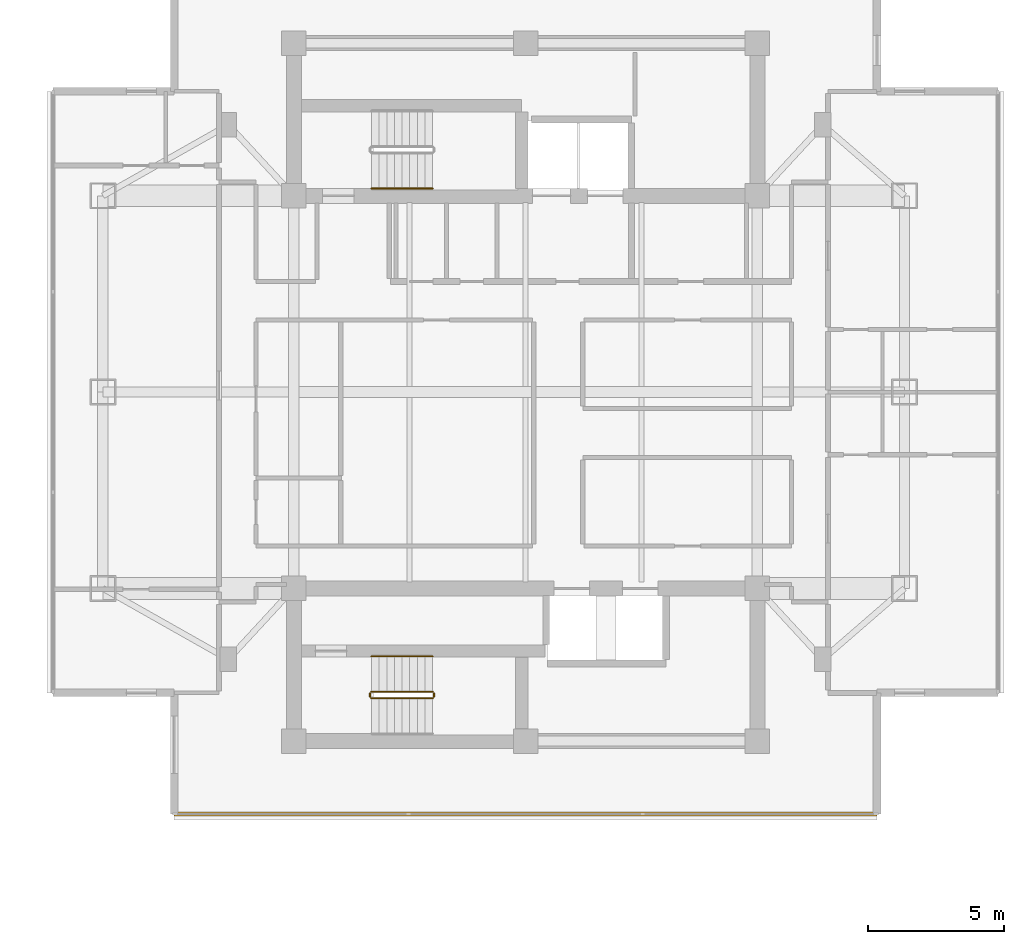
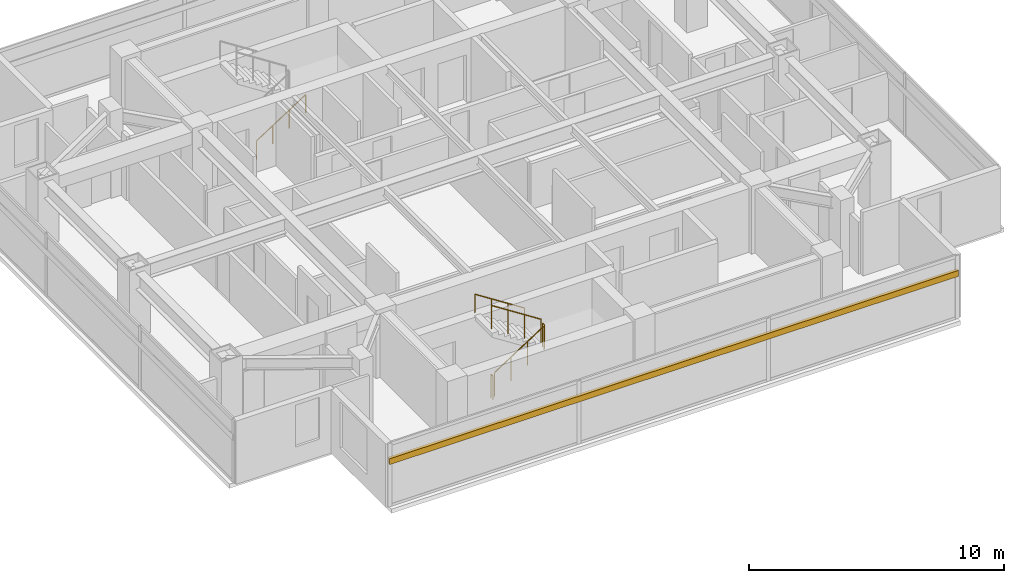
# One storey, part 22 of 24: 6 railings, 1 shading device.
"""IFC4 building model written with IfcOpenShell, lengths in metres."""

from ifc_helpers import new_model, si_unit, direction, frame, origin, origin_2d, place, context, subcontext, project, spatial, rectangle, circle, extrude, material, material_profile, profile_set, type_object, element, save


model = new_model("IFC4")

# Units and contexts
model_context = context("Model", 3, precision=1e-05, world=origin(), true_north=direction((0.0, 1.0)))
body_context = subcontext(model_context, "Body", "Model", "MODEL_VIEW")
ifc_project = project(units=[si_unit("LENGTHUNIT", "METRE"), si_unit("AREAUNIT", "SQUARE_METRE"), si_unit("VOLUMEUNIT", "CUBIC_METRE"), si_unit("PLANEANGLEUNIT", "RADIAN"), si_unit("MASSUNIT", "GRAM", prefix="KILO")], contexts=[model_context])

# Site, building, storey
site_placement = place(None, origin())
site = spatial("IfcSite", under=ifc_project, at=site_placement, CompositionType="ELEMENT")
building_placement = place(site_placement, origin())
building = spatial("IfcBuilding", under=site, at=building_placement, Name="Mirazonda Arch Towers", CompositionType="ELEMENT")
storey_placement = place(building_placement, frame((0.0, 0.0, 196.64990234375)))
storey = spatial("IfcBuildingStorey", under=building, at=storey_placement, Name="L56", CompositionType="ELEMENT", Elevation=196.64990234375)

# Shading device
ifc_material_1 = material(Name="Kiln-Fired Architectural Terracotta", Category="masonry")
ifc_material_profile = material_profile(ifc_material_1, rectangle(XDim=0.139892578125, YDim=0.280029296875, at=origin_2d()), Name="TERRA-BAG-140x280")
ifc_profile_set = profile_set([ifc_material_profile], Name="Kiln-Fired Architectural Terracotta")
shading_device_type = type_object("IfcShadingDeviceType", Name="BAGUETTE-3", PredefinedType="USERDEFINED", material=ifc_profile_set)
shading_device_placement = place(storey_placement, frame((89.389892578125, 12.5283203125, 2.181640625), z_axis=(-1.0, 0.0, 0.0), x_axis=(0.0, -1.0, 0.0)))
element("IfcShadingDevice", 1, at=shading_device_placement, inside=storey, type_object=shading_device_type, Name="L56 Glazed Terracotta Sun-Screen Baguette CW-L56-T2-S", ObjectType="BAGUETTE", PredefinedType="USERDEFINED", context=body_context, shape_type="SweptSolid", body=[
    extrude(rectangle(XDim=0.139892578125, YDim=0.280029296875, at=origin_2d()), origin(), (0.0, 0.0, 1.0), 25.77978515625),
])

# Railings
ifc_material_2 = material(Name="Architectural Brushed Steel S355", Category="steel")
railing_type_1 = type_object("IfcRailingType", Name="GUARD-STAIR-1120", PredefinedType="GUARDRAIL", material=ifc_material_2)
railing_1_placement = place(storey_placement, frame((70.85009765625, 16.77001953125, 0.1806640625)))
element("IfcRailing", 2, at=railing_1_placement, inside=storey, type_object=railing_type_1, Name="L56 ST-T2S stair guard 1", PredefinedType="GUARDRAIL", context=body_context, shape_type="SweptSolid", body=[
    extrude(circle(Radius=0.02392578125, at=origin_2d()), frame((0.0, 0.0, 1.1259765625), z_axis=(0.840436612492, 0.0, 0.541909863706), x_axis=(0.0, 1.0, 0.0)), (0.0, 0.0, 1.0), 2.665283203125),
    extrude(circle(Radius=0.02099609375, at=origin_2d()), origin(), (0.0, 0.0, 1.0), 1.101806640625),
    extrude(circle(Radius=0.02099609375, at=origin_2d()), frame((0.74658203125, 0.0, 0.4814453125)), (0.0, 0.0, 1.0), 1.101806640625),
    extrude(circle(Radius=0.02099609375, at=origin_2d()), frame((1.493408203125, 0.0, 0.962890625)), (0.0, 0.0, 1.0), 1.101806640625),
    extrude(circle(Radius=0.02099609375, at=origin_2d()), frame((2.239990234375, 0.0, 1.4443359375)), (0.0, 0.0, 1.0), 1.101806640625),
])
railing_2_placement = place(storey_placement, frame((73.139892578125, 16.820068359375, 1.625)))
element("IfcRailing", 3, at=railing_2_placement, inside=storey, type_object=railing_type_1, Name="L56 ST-T2S stair guard 2", PredefinedType="GUARDRAIL", context=body_context, shape_type="SweptSolid", body=[
    extrude(circle(Radius=0.02392578125, at=origin_2d()), frame((0.0, 0.0, 1.1259765625), z_axis=(0.0, 1.0, 0.0), x_axis=(-1.0, 0.0, 0.0)), (0.0, 0.0, 1.0), 0.139892578125),
    extrude(circle(Radius=0.02099609375, at=origin_2d()), origin(), (0.0, 0.0, 1.0), 1.101806640625),
    extrude(circle(Radius=0.02099609375, at=origin_2d()), frame((0.0, 0.139892578125, 0.0)), (0.0, 0.0, 1.0), 1.101806640625),
])
railing_3_placement = place(storey_placement, frame((73.090087890625, 17.010009765625, 1.8056640625)))
element("IfcRailing", 4, at=railing_3_placement, inside=storey, type_object=railing_type_1, Name="L56 ST-T2S stair guard 3", PredefinedType="GUARDRAIL", context=body_context, shape_type="SweptSolid", body=[
    extrude(circle(Radius=0.02392578125, at=origin_2d()), frame((0.0, 0.0, 1.1259765625), z_axis=(-0.840436612492, 0.0, 0.541909863706), x_axis=(0.0, -1.0, 0.0)), (0.0, 0.0, 1.0), 2.665283203125),
    extrude(circle(Radius=0.02099609375, at=origin_2d()), origin(), (0.0, 0.0, 1.0), 1.101806640625),
    extrude(circle(Radius=0.02099609375, at=origin_2d()), frame((-0.74658203125, 0.0, 0.4814453125)), (0.0, 0.0, 1.0), 1.101806640625),
    extrude(circle(Radius=0.02099609375, at=origin_2d()), frame((-1.493408203125, 0.0, 0.962890625)), (0.0, 0.0, 1.0), 1.101806640625),
    extrude(circle(Radius=0.02099609375, at=origin_2d()), frame((-2.239990234375, 0.0, 1.4443359375)), (0.0, 0.0, 1.0), 1.101806640625),
])
railing_4_placement = place(storey_placement, frame((70.800048828125, 16.820068359375, 0.0)))
element("IfcRailing", 5, at=railing_4_placement, inside=storey, type_object=railing_type_1, Name="L56 ST-T2S stair guard 4", PredefinedType="GUARDRAIL", context=body_context, shape_type="SweptSolid", body=[
    extrude(circle(Radius=0.02392578125, at=origin_2d()), frame((0.0, 0.0, 1.1259765625), z_axis=(0.0, 1.0, 0.0), x_axis=(-1.0, 0.0, 0.0)), (0.0, 0.0, 1.0), 0.139892578125),
    extrude(circle(Radius=0.02099609375, at=origin_2d()), origin(), (0.0, 0.0, 1.0), 1.101806640625),
    extrude(circle(Radius=0.02099609375, at=origin_2d()), frame((0.0, 0.139892578125, 0.0)), (0.0, 0.0, 1.0), 1.101806640625),
])
railing_type_2 = type_object("IfcRailingType", Name="HANDRAIL-915", PredefinedType="HANDRAIL", material=ifc_material_2)
railing_5_placement = place(storey_placement, frame((70.85009765625, 35.469970703125, 0.1806640625)))
element("IfcRailing", 6, at=railing_5_placement, inside=storey, type_object=railing_type_2, Name="L56 ST-T2N stair handrail 1", PredefinedType="HANDRAIL", context=body_context, shape_type="SweptSolid", body=[
    extrude(circle(Radius=0.02392578125, at=origin_2d()), frame((0.0, 0.0, 0.8759765625), z_axis=(0.840436612492, 0.0, 0.541909863706), x_axis=(0.0, 1.0, 0.0)), (0.0, 0.0, 1.0), 2.665283203125),
    extrude(circle(Radius=0.02099609375, at=origin_2d()), origin(), (0.0, 0.0, 1.0), 0.851806640625),
    extrude(circle(Radius=0.02099609375, at=origin_2d()), frame((0.74658203125, 0.0, 0.4814453125)), (0.0, 0.0, 1.0), 0.851806640625),
    extrude(circle(Radius=0.02099609375, at=origin_2d()), frame((1.493408203125, 0.0, 0.962890625)), (0.0, 0.0, 1.0), 0.851806640625),
    extrude(circle(Radius=0.02099609375, at=origin_2d()), frame((2.239990234375, 0.0, 1.4443359375)), (0.0, 0.0, 1.0), 0.851806640625),
])
railing_6_placement = place(storey_placement, frame((73.090087890625, 18.31005859375, 1.8056640625)))
element("IfcRailing", 7, at=railing_6_placement, inside=storey, type_object=railing_type_2, Name="L56 ST-T2S stair handrail 2", PredefinedType="HANDRAIL", context=body_context, shape_type="SweptSolid", body=[
    extrude(circle(Radius=0.02392578125, at=origin_2d()), frame((0.0, 0.0, 0.8759765625), z_axis=(-0.840436612492, 0.0, 0.541909863706), x_axis=(0.0, -1.0, 0.0)), (0.0, 0.0, 1.0), 2.665283203125),
    extrude(circle(Radius=0.02099609375, at=origin_2d()), origin(), (0.0, 0.0, 1.0), 0.851806640625),
    extrude(circle(Radius=0.02099609375, at=origin_2d()), frame((-0.74658203125, 0.0, 0.4814453125)), (0.0, 0.0, 1.0), 0.851806640625),
    extrude(circle(Radius=0.02099609375, at=origin_2d()), frame((-1.493408203125, 0.0, 0.962890625)), (0.0, 0.0, 1.0), 0.851806640625),
    extrude(circle(Radius=0.02099609375, at=origin_2d()), frame((-2.239990234375, 0.0, 1.4443359375)), (0.0, 0.0, 1.0), 0.851806640625),
])

save(model, "model.ifc")
